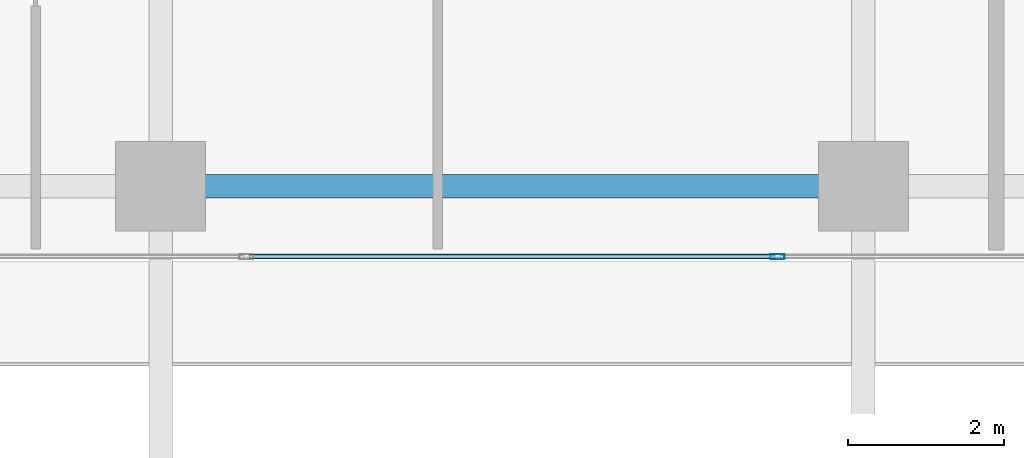
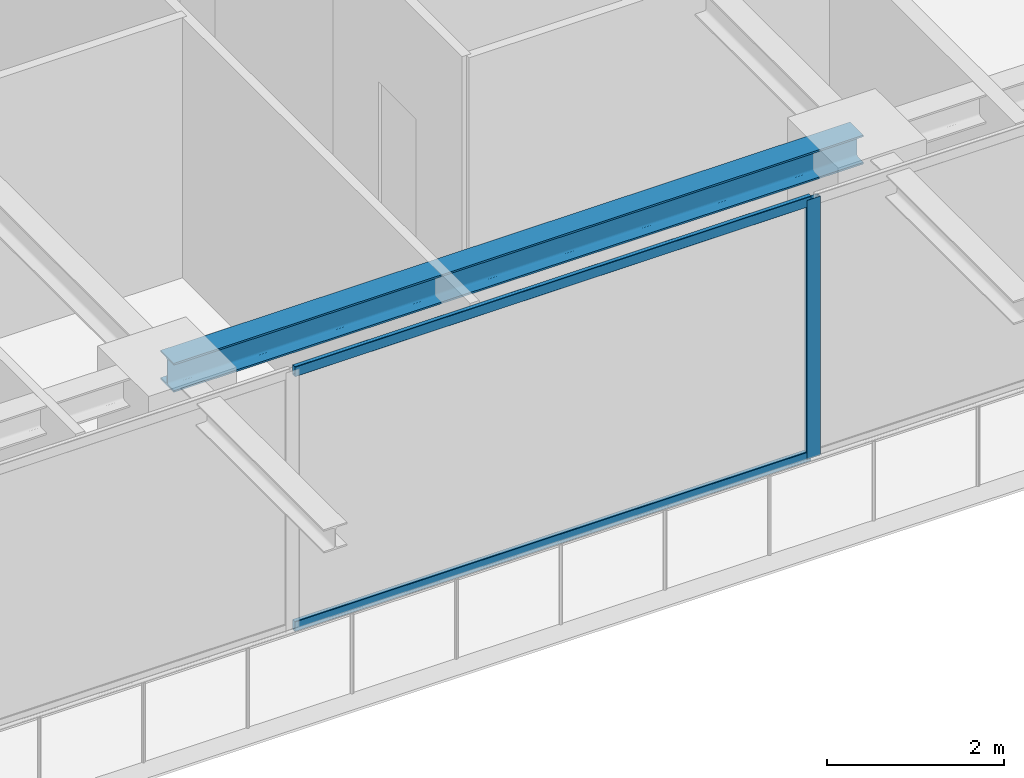
# One storey, part 6 of 38: 3 members, 1 beam, 1 element without a shape of its own.
"""IFC4 building model written with IfcOpenShell, lengths in metres."""

from ifc_helpers import new_model, si_unit, direction, frame, origin, origin_2d, place, context, subcontext, project, spatial, hollow_rectangle, i_section, extrude, source, transform, mapped, material, layer, layer_set, material_profile, profile_set, type_object, element, aggregate, save


model = new_model("IFC4")

# Units and contexts
model_context = context("Model", 3, precision=1e-05, world=origin(), true_north=direction((0.0, 1.0)))
body_context = subcontext(model_context, "Body", "Model", "MODEL_VIEW")
ifc_project = project(units=[si_unit("LENGTHUNIT", "METRE"), si_unit("AREAUNIT", "SQUARE_METRE"), si_unit("VOLUMEUNIT", "CUBIC_METRE"), si_unit("PLANEANGLEUNIT", "RADIAN"), si_unit("MASSUNIT", "GRAM", prefix="KILO")], contexts=[model_context])

# Site, building, storey
site_placement = place(None, origin())
site = spatial("IfcSite", under=ifc_project, at=site_placement, CompositionType="ELEMENT")
building_placement = place(site_placement, origin())
building = spatial("IfcBuilding", under=site, at=building_placement, Name="Serunith Strait Residences", CompositionType="ELEMENT")
storey_placement = place(building_placement, frame((0.0, 0.0, 268.199951171875)))
storey = spatial("IfcBuildingStorey", under=building, at=storey_placement, Name="L67", CompositionType="ELEMENT", Elevation=268.199951171875)

# Beam
ifc_material_1 = material(Name="Steel S355J2", Category="steel")
ifc_material_profile_1 = material_profile(ifc_material_1, i_section(OverallWidth=0.300048828125, OverallDepth=0.39990234375, WebThickness=0.013427734375, FlangeThickness=0.02392578125, FilletRadius=0.027099609375, at=origin_2d()), Name="HEB 400")
ifc_profile_set_1 = profile_set([ifc_material_profile_1], Name="Steel S355J2")
beam_type = type_object("IfcBeamType", Name="BM-HEB400", PredefinedType="BEAM", material=ifc_profile_set_1)
shared_shape_1 = source(origin(), body_context, "Body", "SweptSolid", [
    extrude(i_section(OverallWidth=0.300048828125, OverallDepth=0.39990234375, WebThickness=0.013427734375, FlangeThickness=0.02392578125, FilletRadius=0.027099609375, at=origin_2d()), origin(), (0.0, 0.0, 1.0), 9.0),
])
beam_placement = place(storey_placement, frame((27.89990234375, 2.10009765625, 3.386962890625), z_axis=(1.0, 0.0, 0.0), x_axis=(0.0, 1.0, 0.0)))
element("IfcBeam", 1, at=beam_placement, inside=storey, type_object=beam_type, Name="L67 Perimeter Ring Beam 02", PredefinedType="BEAM", context=body_context, shape_type="MappedRepresentation", body=[
    mapped(shared_shape_1, transform((0.0, 0.0, 0.0), scale=1.0)),
])

# Curtain wall, members
ifc_material_2 = material(Name="Pale-Champagne Anodised Aluminium", Category="aluminium")
ifc_layer = layer(ifc_material_2, 0.199951171875, Name="Pale-Champagne Anodised Aluminium")
ifc_layer_set = layer_set([ifc_layer], Name="Pale-Champagne Anodised Aluminium")
curtain_wall_type = type_object("IfcCurtainWallType", Name="CW-SYS4", PredefinedType="NOTDEFINED", material=ifc_layer_set)
curtain_wall_placement = place(storey_placement, origin())
curtain_wall = element("IfcCurtainWall", 2, at=curtain_wall_placement, inside=storey, type_object=curtain_wall_type, Name="L67 S Unitised Fritted Curtain Wall", PredefinedType="NOTDEFINED")
ifc_material_profile_2 = material_profile(ifc_material_2, hollow_rectangle(XDim=0.06494140625, YDim=0.179931640625, WallThickness=0.00341796875, InnerFilletRadius=0.00537109375, OuterFilletRadius=0.0087890625, at=origin_2d()), Name="ALU 180x65x3.5")
ifc_profile_set_2 = profile_set([ifc_material_profile_2], Name="Pale-Champagne Anodised Aluminium")
member_type_1 = type_object("IfcMemberType", Name="CW-SYS4-MULL", PredefinedType="MULLION", material=ifc_profile_set_2)
shared_shape_2 = source(origin(), body_context, "Body", "SweptSolid", [
    extrude(hollow_rectangle(XDim=0.06494140625, YDim=0.179931640625, WallThickness=0.00341796875, InnerFilletRadius=0.00537109375, OuterFilletRadius=0.0087890625, at=origin_2d()), origin(), (0.0, 0.0, 1.0), 3.574951171875),
])
member_1_placement = place(storey_placement, frame((35.800048828125, 1.199951171875, 0.0), z_axis=(0.0, 0.0, 1.0), x_axis=(0.0, 1.0, 0.0)))
member_1 = element("IfcMember", 3, at=member_1_placement, type_object=member_type_1, Name="CW-4 mullion 4", PredefinedType="MULLION", context=body_context, shape_type="MappedRepresentation", body=[
    mapped(shared_shape_2, transform((0.0, 0.0, 0.0), scale=1.0)),
])
ifc_material_profile_3 = material_profile(ifc_material_2, hollow_rectangle(XDim=0.06005859375, YDim=0.139892578125, WallThickness=0.00341796875, InnerFilletRadius=0.00537109375, OuterFilletRadius=0.0087890625, at=origin_2d()), Name="ALU 140x60x3.5")
ifc_profile_set_3 = profile_set([ifc_material_profile_3], Name="Pale-Champagne Anodised Aluminium")
member_type_2 = type_object("IfcMemberType", Name="CW-SYS4-TRAN", PredefinedType="USERDEFINED", material=ifc_profile_set_3)
shared_shape_3 = source(origin(), body_context, "Body", "SweptSolid", [
    extrude(hollow_rectangle(XDim=0.06005859375, YDim=0.139892578125, WallThickness=0.00341796875, InnerFilletRadius=0.00537109375, OuterFilletRadius=0.0087890625, at=origin_2d()), origin(), (0.0, 0.0, 1.0), 6.735107421875),
])
member_2_placement = place(storey_placement, frame((29.032470703125, 1.199951171875, 0.030029296875), z_axis=(1.0, 0.0, 0.0), x_axis=(0.0, 1.0, 0.0)))
member_2 = element("IfcMember", 4, at=member_2_placement, type_object=member_type_2, Name="CW-4 transom 3.1", ObjectType="TRANSOM", PredefinedType="USERDEFINED", context=body_context, shape_type="MappedRepresentation", body=[
    mapped(shared_shape_3, transform((0.0, 0.0, 0.0), scale=1.0)),
])
member_3_placement = place(storey_placement, frame((29.032470703125, 1.199951171875, 3.545166015625), z_axis=(1.0, 0.0, 0.0), x_axis=(0.0, 1.0, 0.0)))
member_3 = element("IfcMember", 5, at=member_3_placement, type_object=member_type_2, Name="CW-4 transom 3.2", ObjectType="TRANSOM", PredefinedType="USERDEFINED", context=body_context, shape_type="MappedRepresentation", body=[
    mapped(shared_shape_3, transform((0.0, 0.0, 0.0), scale=1.0)),
])
aggregate(curtain_wall, [member_1, member_2, member_3])

save(model, "model.ifc")
